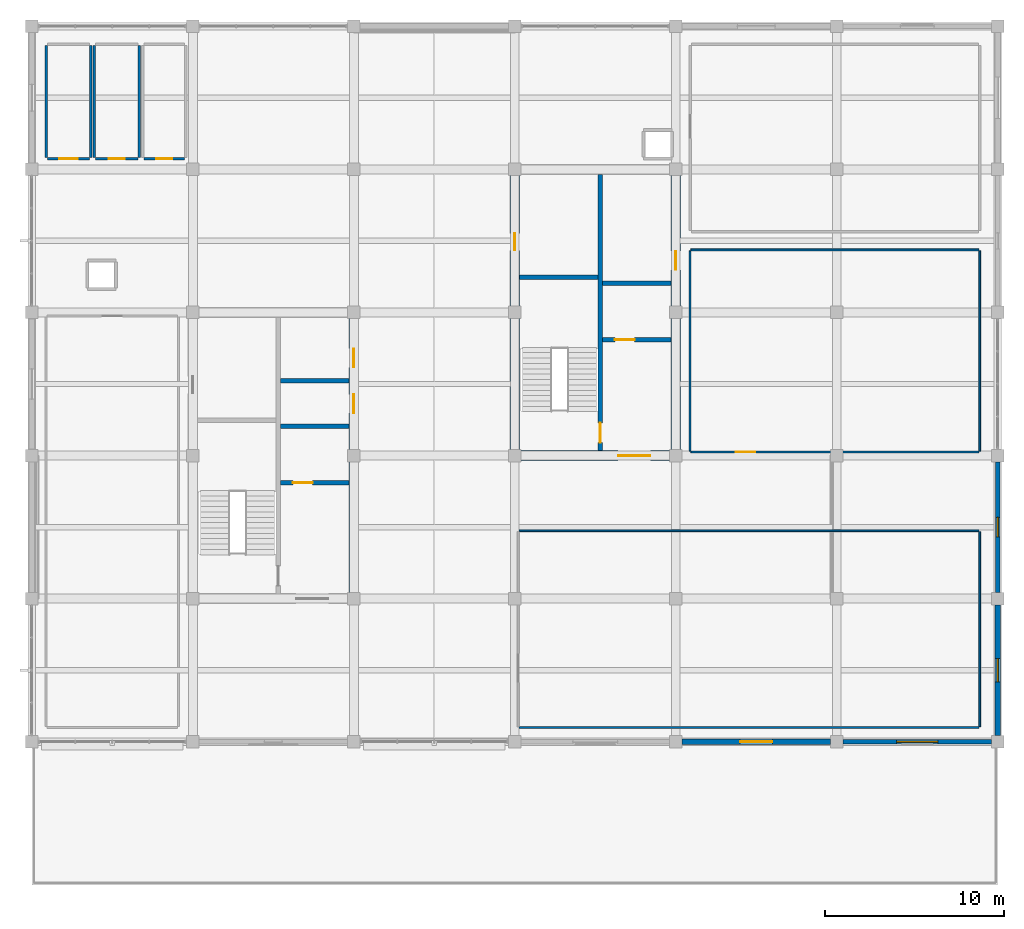
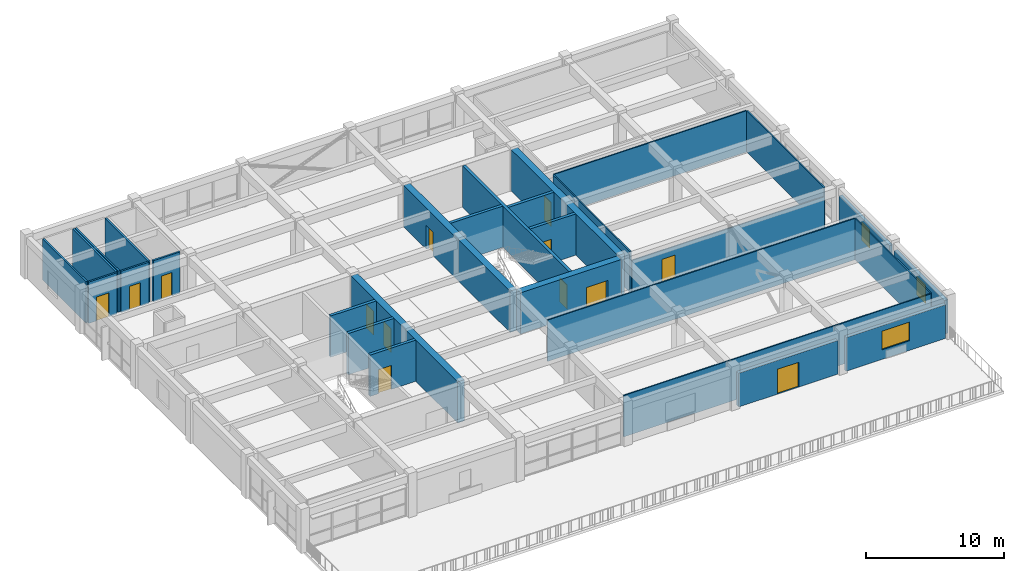
# One storey, part 11 of 14: 29 walls, 13 doors, 3 windows, 16 openings.
"""IFC4 building model written with IfcOpenShell, lengths in metres."""

import ifcopenshell
import ifcopenshell.guid

model = None  # the IFC model being written
_history = None  # IfcOwnerHistory: only IFC2X3 demands one
_inside = {}  # id of a spatial element -> (the spatial element, [elements in it])
_under = {}  # id of a project, library or spatial element -> (it, [spatial elements below it])
_declared = {}  # id of a project -> (the project, [libraries it declares])
_typed = {}  # id of a type object -> (the type object, [elements of that type])
_made_of = {}  # id of a material, layer set ... -> (it, [elements and type objects made of it])


def new_model(schema):
    """Start an empty IFC model of exactly this schema.

    Asked for "IFC4X3", IfcOpenShell would pick the latest addendum, in which some entities
    have other attributes; the version numbers below select the first issue.
    IFC2X3 requires an IfcOwnerHistory on every rooted entity: one is made here for all.
    """
    global model, _history
    if schema == "IFC4X3":
        model = ifcopenshell.file(schema_version=(4, 3, 0, 0))
    else:
        model = ifcopenshell.file(schema=schema)
    _inside.clear()
    _under.clear()
    _declared.clear()
    _typed.clear()
    _made_of.clear()
    _history = None
    if model.schema == "IFC2X3":
        org = make("IfcOrganization", Name="unknown")
        user = make(
            "IfcPersonAndOrganization",
            ThePerson=make("IfcPerson", FamilyName="unknown"),
            TheOrganization=org,
        )
        app = make(
            "IfcApplication",
            ApplicationDeveloper=org,
            Version="unknown",
            ApplicationFullName="unknown",
            ApplicationIdentifier="unknown",
        )
        _history = make(
            "IfcOwnerHistory",
            OwningUser=user,
            OwningApplication=app,
            ChangeAction="ADDED",
            CreationDate=0,
        )
    return model


def make(cls, **values):
    """One entity of the class cls with the attributes given. An attribute that is None is left unset."""
    return model.create_entity(
        cls, **{name: value for name, value in values.items() if value is not None}
    )


def rooted(cls, **values):
    """An entity with a GlobalId (a new one), such as an element, a storey or a relation."""
    return make(cls, GlobalId=ifcopenshell.guid.new(), OwnerHistory=_history, **values)


def si_unit(unit_type, name, prefix=None):
    """IfcSIUnit, for example si_unit("LENGTHUNIT", "METRE", prefix="MILLI")."""
    return make("IfcSIUnit", UnitType=unit_type, Prefix=prefix, Name=name)


def assignment(units):
    """IfcUnitAssignment: the units of a project."""
    return None if units is None else make("IfcUnitAssignment", Units=units)


def point(xyz):
    """IfcCartesianPoint."""
    return None if xyz is None else make("IfcCartesianPoint", Coordinates=xyz)


def direction(xyz):
    """IfcDirection."""
    return None if xyz is None else make("IfcDirection", DirectionRatios=xyz)


def frame(location, z_axis=None, x_axis=None):
    """IfcAxis2Placement3D, a coordinate frame: its origin and axes. An axis left out is left unset."""
    return make(
        "IfcAxis2Placement3D",
        Location=point(location),
        Axis=direction(z_axis),
        RefDirection=direction(x_axis),
    )


def frame_2d(location, x_axis=None):
    """IfcAxis2Placement2D, a coordinate frame in the plane: its origin and x axis."""
    return make(
        "IfcAxis2Placement2D", Location=point(location), RefDirection=direction(x_axis)
    )


def origin():
    """The frame at (0, 0, 0) with its axes left unset."""
    return frame((0.0, 0.0, 0.0))


def place(relative_to, where):
    """IfcLocalPlacement: puts the frame where relative to a parent placement (None: the world)."""
    return make(
        "IfcLocalPlacement", PlacementRelTo=relative_to, RelativePlacement=where
    )


def context(
    kind, dimensions, precision=None, world=None, true_north=None, identifier=None
):
    """IfcGeometricRepresentationContext, for example the 3D "Model" context."""
    return make(
        "IfcGeometricRepresentationContext",
        ContextIdentifier=identifier,
        ContextType=kind,
        CoordinateSpaceDimension=dimensions,
        Precision=precision,
        WorldCoordinateSystem=world,
        TrueNorth=true_north,
    )


def subcontext(parent, identifier, kind, view, scale=None):
    """IfcGeometricRepresentationSubContext, for example "Body" below "Model"."""
    return make(
        "IfcGeometricRepresentationSubContext",
        ContextIdentifier=identifier,
        ContextType=kind,
        ParentContext=parent,
        TargetScale=scale,
        TargetView=view,
    )


def project(units=None, contexts=None):
    """IfcProject with its units and contexts."""
    return rooted(
        "IfcProject",
        Name="project",
        RepresentationContexts=contexts,
        UnitsInContext=assignment(units),
    )


def spatial(cls, under=None, at=None, **own):
    """A site, building, storey or space (cls), placed at a placement, below another one or the project."""
    s = rooted(cls, ObjectPlacement=at, **own)
    if under is not None:
        _under.setdefault(under.id(), (under, []))[1].append(s)
    return s


def profile(cls, at=None, kind="AREA", **sizes):
    """A parametric profile (cls). Its sizes go by their IFC names, for example OverallWidth=200.0."""
    return make(cls, ProfileType=kind, Position=at, **sizes)


def rectangle(**sizes):
    """IfcRectangleProfileDef."""
    return profile("IfcRectangleProfileDef", **sizes)


def extrude(swept, where, along, depth):
    """IfcExtrudedAreaSolid: the profile swept, set in the frame where, extruded along a direction by depth."""
    return make(
        "IfcExtrudedAreaSolid",
        SweptArea=swept,
        Position=where,
        ExtrudedDirection=direction(along),
        Depth=depth,
    )


def shape(context_of_items, identifier, shape_type, items):
    """IfcShapeRepresentation: the items that make up one representation, for example the "Body"."""
    return make(
        "IfcShapeRepresentation",
        ContextOfItems=context_of_items,
        RepresentationIdentifier=identifier,
        RepresentationType=shape_type,
        Items=items,
    )


def material(Name=None, Category=None):
    """IfcMaterial."""
    return make("IfcMaterial", Name=Name, Category=Category)


def layer(
    of_material, thickness, ventilated=None, Name=None, Category=None, Priority=None
):
    """IfcMaterialLayer: one layer of a wall or slab, of a material (None: an air gap)."""
    return make(
        "IfcMaterialLayer",
        Material=of_material,
        LayerThickness=thickness,
        IsVentilated=ventilated,
        Name=Name,
        Category=Category,
        Priority=Priority,
    )


def layer_set(layers, Name=None):
    """IfcMaterialLayerSet."""
    return make("IfcMaterialLayerSet", MaterialLayers=layers, LayerSetName=Name)


def made_of(thing, what):
    """Note that an element or type object is made of a material, layer set ...; save() writes the relation."""
    if what is not None:
        _made_of.setdefault(what.id(), (what, []))[1].append(thing)
    return thing


def type_object(cls, material=None, **own):
    """A type object (cls), such as IfcWallType, which elements share."""
    return made_of(rooted(cls, **own), material)


def element(
    cls,
    number,
    at=None,
    inside=None,
    cuts=None,
    type_object=None,
    material=None,
    context=None,
    identifier="Body",
    shape_type=None,
    held_by="IfcProductDefinitionShape",
    body=None,
    shapes=None,
    **own,
):
    """One element of the class cls, such as IfcWall. Its Tag is "e" and its number.

    at: its placement. inside: the storey or other place that contains it. cuts: it is an
    opening in that element (IfcRelVoidsElement). A single representation is given by context,
    identifier, shape_type and body (its items); several are given by shapes. held_by: the class
    of the entity that holds the representations. save() writes the other relations.
    """
    e = rooted(cls, Tag="e%d" % number, ObjectPlacement=at, **own)
    if body is not None:
        shapes = [shape(context, identifier, shape_type, body)]
    if shapes is not None:
        e.Representation = make(held_by, Representations=shapes)
    if inside is not None:
        _inside.setdefault(inside.id(), (inside, []))[1].append(e)
    if cuts is not None:
        rooted(
            "IfcRelVoidsElement", RelatingBuildingElement=cuts, RelatedOpeningElement=e
        )
    if type_object is not None:
        _typed.setdefault(type_object.id(), (type_object, []))[1].append(e)
    return made_of(e, material)


def fill(opening, filler):
    """IfcRelFillsElement: the door or window that sits in an opening."""
    return rooted(
        "IfcRelFillsElement",
        RelatingOpeningElement=opening,
        RelatedBuildingElement=filler,
    )


def aggregate(whole, parts):
    """IfcRelAggregates: a whole, such as a stair, and the parts it consists of."""
    return rooted("IfcRelAggregates", RelatingObject=whole, RelatedObjects=parts)


def save(model, path):
    """Write the relations noted so far, then the file.

    IfcRelAggregates (storeys below a building ...), IfcRelContainedInSpatialStructure (elements
    in a storey), IfcRelDefinesByType, IfcRelAssociatesMaterial and IfcRelDeclares: one each for
    every whole, place, type object, material and project.
    """
    for whole, parts in _under.values():
        aggregate(whole, parts)
    for where, things in _inside.values():
        rooted(
            "IfcRelContainedInSpatialStructure",
            RelatedElements=things,
            RelatingStructure=where,
        )
    for kind, things in _typed.values():
        rooted("IfcRelDefinesByType", RelatedObjects=things, RelatingType=kind)
    for what, things in _made_of.values():
        rooted("IfcRelAssociatesMaterial", RelatedObjects=things, RelatingMaterial=what)
    for by, libraries in _declared.values():
        rooted("IfcRelDeclares", RelatingContext=by, RelatedDefinitions=libraries)
    model.write(path)


model = new_model("IFC4")

# Units and contexts
model_context = context("Model", 3, precision=1e-05, world=origin(), true_north=direction((0.0, 1.0)))
body_context = subcontext(model_context, "Body", "Model", "MODEL_VIEW")
ifc_project = project(units=[si_unit("LENGTHUNIT", "METRE"), si_unit("AREAUNIT", "SQUARE_METRE"), si_unit("VOLUMEUNIT", "CUBIC_METRE"), si_unit("PLANEANGLEUNIT", "RADIAN"), si_unit("MASSUNIT", "GRAM", prefix="KILO")], contexts=[model_context])

# Site, building, storey
site_placement = place(None, origin())
site = spatial("IfcSite", under=ifc_project, at=site_placement, CompositionType="ELEMENT")
building_placement = place(site_placement, origin())
building = spatial("IfcBuilding", under=site, at=building_placement, Name="Zaverband Oceanarium and Marine Research Institute", CompositionType="ELEMENT")
storey_placement = place(building_placement, frame((0.0, 0.0, 57.0)))
storey = spatial("IfcBuildingStorey", under=building, at=storey_placement, Name="L14", CompositionType="ELEMENT", Elevation=57.0)

# Wall, openings, doors
ifc_material_1 = material(Name="Concrete C50/60", Category="concrete")
ifc_layer_1 = layer(ifc_material_1, 0.550048828125, Name="Concrete C50/60")
ifc_layer_set_1 = layer_set([ifc_layer_1], Name="Concrete C50/60")
wall_type_1 = type_object("IfcWallType", Name="CW-01", PredefinedType="SHEAR", material=ifc_layer_set_1)
wall_1_placement = place(storey_placement, frame((27.0, 80.27490234375, 0.0), z_axis=(0.0, 0.0, 1.0), x_axis=(0.0, 1.0, 0.0)))
wall_1 = element("IfcWall", 1, at=wall_1_placement, inside=storey, type_object=wall_type_1, Name="Structural shear wall CW-01", PredefinedType="SHEAR", context=body_context, shape_type="SweptSolid", body=[
    extrude(rectangle(XDim=15.4501953125, YDim=0.550048828125, at=frame_2d((7.72509765625, 0.0))), origin(), (0.0, 0.0, 1.0), 3.64990234375),
])
opening_1_placement = place(wall_1_placement, frame((10.10009765625, 0.0, 0.0)))
opening_1 = element("IfcOpeningElement", 2, at=opening_1_placement, cuts=wall_1, Name="Opening LD-02", PredefinedType="OPENING", context=body_context, shape_type="SweptSolid", body=[
    extrude(rectangle(XDim=1.050048828125, YDim=2.1201171875, at=frame_2d((0.52490234375, 1.06005859375))), frame((0.0, 0.287109375, 0.0), z_axis=(0.0, -1.0, 0.0), x_axis=(1.0, 0.0, 0.0)), (0.0, 0.0, 1.0), 0.573974609375),
])
opening_2_placement = place(wall_1_placement, frame((12.64990234375, 0.0, 0.0)))
opening_2 = element("IfcOpeningElement", 3, at=opening_2_placement, cuts=wall_1, Name="Opening LD-02", PredefinedType="OPENING", context=body_context, shape_type="SweptSolid", body=[
    extrude(rectangle(XDim=1.050048828125, YDim=2.1201171875, at=frame_2d((0.52490234375, 1.06005859375))), frame((0.0, 0.287109375, 0.0), z_axis=(0.0, -1.0, 0.0), x_axis=(1.0, 0.0, 0.0)), (0.0, 0.0, 1.0), 0.573974609375),
])
ifc_material_2 = material(Name="Steel S355", Category="steel")
door_type_1 = type_object("IfcDoorType", Name="LD-02", OperationType="DOUBLE_DOOR_SLIDING", PredefinedType="DOOR", material=ifc_material_2)
door_1_placement = place(opening_1_placement, origin())
door_1 = element("IfcDoor", 4, at=door_1_placement, inside=storey, type_object=door_type_1, Name="Passenger lift sliding landing door LD-02", OperationType="DOUBLE_DOOR_SLIDING", OverallHeight=2.1201171875, OverallWidth=1.050048828125, PredefinedType="DOOR", context=body_context, shape_type="SweptSolid", body=[
    extrude(rectangle(XDim=1.050048828125, YDim=2.1201171875, at=frame_2d((0.52490234375, 1.06005859375))), frame((0.0, 0.02490234375, 0.0), z_axis=(0.0, -1.0, 0.0), x_axis=(1.0, 0.0, 0.0)), (0.0, 0.0, 1.0), 0.050048828125),
])
fill(opening_1, door_1)
door_2_placement = place(opening_2_placement, origin())
door_2 = element("IfcDoor", 5, at=door_2_placement, inside=storey, type_object=door_type_1, Name="Passenger lift sliding landing door LD-02", OperationType="DOUBLE_DOOR_SLIDING", OverallHeight=2.1201171875, OverallWidth=1.050048828125, PredefinedType="DOOR", context=body_context, shape_type="SweptSolid", body=[
    extrude(rectangle(XDim=1.050048828125, YDim=2.1201171875, at=frame_2d((0.52490234375, 1.06005859375))), frame((0.0, 0.02490234375, 0.0), z_axis=(0.0, -1.0, 0.0), x_axis=(1.0, 0.0, 0.0)), (0.0, 0.0, 1.0), 0.050048828125),
])
fill(opening_2, door_2)

# Wall, opening, door
wall_2_placement = place(storey_placement, frame((36.27490234375, 88.0, 0.0), z_axis=(0.0, 0.0, 1.0), x_axis=(1.0, 0.0, 0.0)))
wall_2 = element("IfcWall", 6, at=wall_2_placement, inside=storey, type_object=wall_type_1, Name="Structural shear wall CW-01", PredefinedType="SHEAR", context=body_context, shape_type="SweptSolid", body=[
    extrude(rectangle(XDim=8.4501953125, YDim=0.550048828125, at=frame_2d((4.22509765625, 0.0))), origin(), (0.0, 0.0, 1.0), 3.64990234375),
])
opening_3_placement = place(wall_2_placement, frame((5.5, 0.0, 0.0)))
opening_3 = element("IfcOpeningElement", 7, at=opening_3_placement, cuts=wall_2, Name="Opening FD-02", PredefinedType="OPENING", context=body_context, shape_type="SweptSolid", body=[
    extrude(rectangle(XDim=1.800048828125, YDim=2.179931640625, at=frame_2d((0.89990234375, 1.08984375))), frame((0.0, 0.287109375, 0.0), z_axis=(0.0, -1.0, 0.0), x_axis=(1.0, 0.0, 0.0)), (0.0, 0.0, 1.0), 0.573974609375),
])
door_type_2 = type_object("IfcDoorType", Name="FD-02", OperationType="DOUBLE_DOOR_SINGLE_SWING", PredefinedType="DOOR", material=ifc_material_2)
door_3_placement = place(opening_3_placement, origin())
door_3 = element("IfcDoor", 8, at=door_3_placement, inside=storey, type_object=door_type_2, Name="Protected lobby double fire door FD-02", OperationType="DOUBLE_DOOR_SINGLE_SWING", OverallHeight=2.179931640625, OverallWidth=1.800048828125, PredefinedType="DOOR", context=body_context, shape_type="SweptSolid", body=[
    extrude(rectangle(XDim=1.800048828125, YDim=2.179931640625, at=frame_2d((0.89990234375, 1.08984375))), frame((0.0, 0.02490234375, 0.0), z_axis=(0.0, -1.0, 0.0), x_axis=(1.0, 0.0, 0.0)), (0.0, 0.0, 1.0), 0.050048828125),
])
fill(opening_3, door_3)

wall_3_placement = place(storey_placement, frame((36.0, 88.27490234375, 0.0), z_axis=(0.0, 0.0, 1.0), x_axis=(0.0, 1.0, 0.0)))
wall_3 = element("IfcWall", 9, at=wall_3_placement, inside=storey, type_object=wall_type_1, Name="Structural shear wall CW-01", PredefinedType="SHEAR", context=body_context, shape_type="SweptSolid", body=[
    extrude(rectangle(XDim=15.4501953125, YDim=0.550048828125, at=frame_2d((7.72509765625, 0.0))), origin(), (0.0, 0.0, 1.0), 3.64990234375),
])
opening_4_placement = place(wall_3_placement, frame((11.199951171875, 0.0, 0.0)))
opening_4 = element("IfcOpeningElement", 10, at=opening_4_placement, cuts=wall_3, Name="Opening FD-03", PredefinedType="OPENING", context=body_context, shape_type="SweptSolid", body=[
    extrude(rectangle(XDim=0.949951171875, YDim=2.10009765625, at=frame_2d((0.47509765625, 1.050048828125))), frame((0.0, 0.287109375, 0.0), z_axis=(0.0, -1.0, 0.0), x_axis=(1.0, 0.0, 0.0)), (0.0, 0.0, 1.0), 0.573974609375),
])
door_type_3 = type_object("IfcDoorType", Name="FD-03", OperationType="NOTDEFINED", PredefinedType="DOOR", material=ifc_material_2)
door_4_placement = place(opening_4_placement, origin())
door_4 = element("IfcDoor", 11, at=door_4_placement, inside=storey, type_object=door_type_3, Name="Service riser access fire door FD-03", OperationType="SINGLE_SWING_RIGHT", OverallHeight=2.10009765625, OverallWidth=0.949951171875, PredefinedType="DOOR", context=body_context, shape_type="SweptSolid", body=[
    extrude(rectangle(XDim=0.949951171875, YDim=2.10009765625, at=frame_2d((0.47509765625, 1.050048828125))), frame((0.0, 0.02490234375, 0.0), z_axis=(0.0, -1.0, 0.0), x_axis=(1.0, 0.0, 0.0)), (0.0, 0.0, 1.0), 0.050048828125),
])
fill(opening_4, door_4)

wall_4_placement = place(storey_placement, frame((45.0, 88.27490234375, 0.0), z_axis=(0.0, 0.0, 1.0), x_axis=(0.0, 1.0, 0.0)))
wall_4 = element("IfcWall", 12, at=wall_4_placement, inside=storey, type_object=wall_type_1, Name="Structural shear wall CW-01", PredefinedType="SHEAR", context=body_context, shape_type="SweptSolid", body=[
    extrude(rectangle(XDim=15.4501953125, YDim=0.550048828125, at=frame_2d((7.72509765625, 0.0))), origin(), (0.0, 0.0, 1.0), 3.64990234375),
])
opening_5_placement = place(wall_4_placement, frame((10.10009765625, 0.0, 0.0)))
opening_5 = element("IfcOpeningElement", 13, at=opening_5_placement, cuts=wall_4, Name="Opening LD-02", PredefinedType="OPENING", context=body_context, shape_type="SweptSolid", body=[
    extrude(rectangle(XDim=1.050048828125, YDim=2.1201171875, at=frame_2d((0.52490234375, 1.06005859375))), frame((0.0, 0.287109375, 0.0), z_axis=(0.0, -1.0, 0.0), x_axis=(1.0, 0.0, 0.0)), (0.0, 0.0, 1.0), 0.573974609375),
])
door_5_placement = place(opening_5_placement, origin())
door_5 = element("IfcDoor", 14, at=door_5_placement, inside=storey, type_object=door_type_1, Name="Passenger lift sliding landing door LD-02", OperationType="DOUBLE_DOOR_SLIDING", OverallHeight=2.1201171875, OverallWidth=1.050048828125, PredefinedType="DOOR", context=body_context, shape_type="SweptSolid", body=[
    extrude(rectangle(XDim=1.050048828125, YDim=2.1201171875, at=frame_2d((0.52490234375, 1.06005859375))), frame((0.0, 0.02490234375, 0.0), z_axis=(0.0, -1.0, 0.0), x_axis=(1.0, 0.0, 0.0)), (0.0, 0.0, 1.0), 0.050048828125),
])
fill(opening_5, door_5)

# Wall, opening, window
ifc_material_3 = material(Name="Concrete C40/50 precast", Category="concrete")
ifc_layer_2 = layer(ifc_material_3, 0.264892578125, Name="Concrete C40/50 precast")
ifc_layer_set_2 = layer_set([ifc_layer_2], Name="Concrete C40/50 precast")
wall_type_2 = type_object("IfcWallType", Name="EW-265", PredefinedType="STANDARD", material=ifc_layer_set_2)
wall_5_placement = place(storey_placement, frame((54.35498046875, 72.0, 0.0), z_axis=(0.0, 0.0, 1.0), x_axis=(1.0, 0.0, 0.0)))
wall_5 = element("IfcWall", 15, at=wall_5_placement, inside=storey, type_object=wall_type_2, Name="Exterior infill wall EW-265", PredefinedType="STANDARD", context=body_context, shape_type="SweptSolid", body=[
    extrude(rectangle(XDim=8.2900390625, YDim=0.264892578125, at=frame_2d((4.14501953125, 0.0))), origin(), (0.0, 0.0, 1.0), 2.97998046875),
])
opening_6_placement = place(wall_5_placement, frame((2.9951171875, 0.0, 0.85009765625)))
opening_6 = element("IfcOpeningElement", 16, at=opening_6_placement, cuts=wall_5, Name="Opening WN-2300x1650", PredefinedType="OPENING", context=body_context, shape_type="SweptSolid", body=[
    extrude(rectangle(XDim=2.300048828125, YDim=1.64990234375, at=frame_2d((1.14990234375, 0.824951171875))), frame((0.0, 0.14453125, 0.0), z_axis=(0.0, -1.0, 0.0), x_axis=(1.0, 0.0, 0.0)), (0.0, 0.0, 1.0), 0.288818359375),
])
ifc_material_4 = material(Name="Thermally broken anodized aluminium and solar-control glass", Category="aluminium")
window_type_1 = type_object("IfcWindowType", Name="WN-2300x1650", PartitioningType="SINGLE_PANEL", PredefinedType="WINDOW", material=ifc_material_4)
window_1_placement = place(opening_6_placement, origin())
window_1 = element("IfcWindow", 17, at=window_1_placement, inside=storey, type_object=window_type_1, Name="Fixed / casement exterior window WN-2300x1650", OverallHeight=1.64990234375, OverallWidth=2.300048828125, PartitioningType="SINGLE_PANEL", PredefinedType="WINDOW", context=body_context, shape_type="SweptSolid", body=[
    extrude(rectangle(XDim=2.300048828125, YDim=1.64990234375, at=frame_2d((1.14990234375, 0.824951171875))), frame((0.0, 0.030029296875, 0.0), z_axis=(0.0, -1.0, 0.0), x_axis=(1.0, 0.0, 0.0)), (0.0, 0.0, 1.0), 0.06005859375),
])
fill(opening_6, window_1)

wall_6_placement = place(storey_placement, frame((63.0, 80.35498046875, 0.0), z_axis=(0.0, 0.0, 1.0), x_axis=(0.0, 1.0, 0.0)))
wall_6 = element("IfcWall", 18, at=wall_6_placement, inside=storey, type_object=wall_type_2, Name="Exterior infill wall EW-265", PredefinedType="STANDARD", context=body_context, shape_type="SweptSolid", body=[
    extrude(rectangle(XDim=7.2900390625, YDim=0.264892578125, at=frame_2d((3.64501953125, 0.0))), origin(), (0.0, 0.0, 1.0), 2.97998046875),
])
opening_7_placement = place(wall_6_placement, frame((3.094970703125, 0.0, 0.85009765625)))
opening_7 = element("IfcOpeningElement", 19, at=opening_7_placement, cuts=wall_6, Name="Opening WN-1100x1650", PredefinedType="OPENING", context=body_context, shape_type="SweptSolid", body=[
    extrude(rectangle(XDim=1.10009765625, YDim=1.64990234375, at=frame_2d((0.550048828125, 0.824951171875))), frame((0.0, 0.14453125, 0.0), z_axis=(0.0, -1.0, 0.0), x_axis=(1.0, 0.0, 0.0)), (0.0, 0.0, 1.0), 0.288818359375),
])
window_type_2 = type_object("IfcWindowType", Name="WN-1100x1650", PartitioningType="SINGLE_PANEL", PredefinedType="WINDOW", material=ifc_material_4)
window_2_placement = place(opening_7_placement, origin())
window_2 = element("IfcWindow", 20, at=window_2_placement, inside=storey, type_object=window_type_2, Name="Fixed / casement exterior window WN-1100x1650", OverallHeight=1.64990234375, OverallWidth=1.10009765625, PartitioningType="SINGLE_PANEL", PredefinedType="WINDOW", context=body_context, shape_type="SweptSolid", body=[
    extrude(rectangle(XDim=1.10009765625, YDim=1.64990234375, at=frame_2d((0.550048828125, 0.824951171875))), frame((0.0, 0.030029296875, 0.0), z_axis=(0.0, -1.0, 0.0), x_axis=(1.0, 0.0, 0.0)), (0.0, 0.0, 1.0), 0.06005859375),
])
fill(opening_7, window_2)

# Wall, opening, door
ifc_layer_3 = layer(ifc_material_3, 0.2900390625, Name="Concrete C40/50 precast")
ifc_layer_set_3 = layer_set([ifc_layer_3], Name="Concrete C40/50 precast")
wall_type_3 = type_object("IfcWallType", Name="EW-290", PredefinedType="STANDARD", material=ifc_layer_set_3)
wall_7_placement = place(storey_placement, frame((45.35498046875, 72.0, 0.0), z_axis=(0.0, 0.0, 1.0), x_axis=(1.0, 0.0, 0.0)))
wall_7 = element("IfcWall", 21, at=wall_7_placement, inside=storey, type_object=wall_type_3, Name="Exterior infill wall EW-290", PredefinedType="STANDARD", context=body_context, shape_type="SweptSolid", body=[
    extrude(rectangle(XDim=8.2900390625, YDim=0.2900390625, at=frame_2d((4.14501953125, 0.0))), origin(), (0.0, 0.0, 1.0), 2.97998046875),
])
opening_8_placement = place(wall_7_placement, frame((3.2451171875, 0.0, 0.0)))
opening_8 = element("IfcOpeningElement", 22, at=opening_8_placement, cuts=wall_7, Name="Opening TD-1800x2200", PredefinedType="OPENING", context=body_context, shape_type="SweptSolid", body=[
    extrude(rectangle(XDim=1.800048828125, YDim=2.199951171875, at=frame_2d((0.89990234375, 1.10009765625))), frame((0.0, 0.156982421875, 0.0), z_axis=(0.0, -1.0, 0.0), x_axis=(1.0, 0.0, 0.0)), (0.0, 0.0, 1.0), 0.31396484375),
])
ifc_material_5 = material(Name="Thermally broken anodized aluminium and laminated glass", Category="aluminium")
door_type_4 = type_object("IfcDoorType", Name="TD-1800x2200", OperationType="DOUBLE_DOOR_SINGLE_SWING", PredefinedType="DOOR", material=ifc_material_5)
door_6_placement = place(opening_8_placement, frame((1.800048828125, 0.0, 0.0), z_axis=(0.0, 0.0, 1.0), x_axis=(-1.0, 0.0, 0.0)))
door_6 = element("IfcDoor", 23, at=door_6_placement, inside=storey, type_object=door_type_4, Name="Glazed double terrace door TD-1800x2200", OperationType="DOUBLE_DOOR_SINGLE_SWING", OverallHeight=2.199951171875, OverallWidth=1.800048828125, PredefinedType="DOOR", context=body_context, shape_type="SweptSolid", body=[
    extrude(rectangle(XDim=1.800048828125, YDim=2.199951171875, at=frame_2d((0.89990234375, 1.10009765625))), frame((0.0, 0.02490234375, 0.0), z_axis=(0.0, -1.0, 0.0), x_axis=(1.0, 0.0, 0.0)), (0.0, 0.0, 1.0), 0.050048828125),
])
fill(opening_8, door_6)

# Wall, opening, window
wall_8_placement = place(storey_placement, frame((63.0, 72.35498046875, 0.0), z_axis=(0.0, 0.0, 1.0), x_axis=(0.0, 1.0, 0.0)))
wall_8 = element("IfcWall", 24, at=wall_8_placement, inside=storey, type_object=wall_type_3, Name="Exterior infill wall EW-290", PredefinedType="STANDARD", context=body_context, shape_type="SweptSolid", body=[
    extrude(rectangle(XDim=7.2900390625, YDim=0.2900390625, at=frame_2d((3.64501953125, 0.0))), origin(), (0.0, 0.0, 1.0), 2.97998046875),
])
opening_9_placement = place(wall_8_placement, frame((2.9951171875, 0.0, 0.85009765625)))
opening_9 = element("IfcOpeningElement", 25, at=opening_9_placement, cuts=wall_8, Name="Opening WN-1300x1650", PredefinedType="OPENING", context=body_context, shape_type="SweptSolid", body=[
    extrude(rectangle(XDim=1.300048828125, YDim=1.64990234375, at=frame_2d((0.64990234375, 0.824951171875))), frame((0.0, 0.156982421875, 0.0), z_axis=(0.0, -1.0, 0.0), x_axis=(1.0, 0.0, 0.0)), (0.0, 0.0, 1.0), 0.31396484375),
])
window_type_3 = type_object("IfcWindowType", Name="WN-1300x1650", PartitioningType="SINGLE_PANEL", PredefinedType="WINDOW", material=ifc_material_4)
window_3_placement = place(opening_9_placement, origin())
window_3 = element("IfcWindow", 26, at=window_3_placement, inside=storey, type_object=window_type_3, Name="Fixed / casement exterior window WN-1300x1650", OverallHeight=1.64990234375, OverallWidth=1.300048828125, PartitioningType="SINGLE_PANEL", PredefinedType="WINDOW", context=body_context, shape_type="SweptSolid", body=[
    extrude(rectangle(XDim=1.300048828125, YDim=1.64990234375, at=frame_2d((0.64990234375, 0.824951171875))), frame((0.0, 0.030029296875, 0.0), z_axis=(0.0, -1.0, 0.0), x_axis=(1.0, 0.0, 0.0)), (0.0, 0.0, 1.0), 0.06005859375),
])
fill(opening_9, window_3)

# Walls
ifc_material_6 = material(Name="Framed fire-rated glass laboratory partition", Category="glass")
ifc_layer_4 = layer(ifc_material_6, 0.10009765625, Name="Framed fire-rated glass laboratory partition")
ifc_layer_set_4 = layer_set([ifc_layer_4], Name="Framed fire-rated glass laboratory partition")
wall_type_4 = type_object("IfcWallType", Name="PT-100-GL", PredefinedType="PARTITIONING", material=ifc_layer_set_4)
for number, where, z_axis, x_axis, name in (
    (27, (36.25, 72.800048828125, 0.0), (0.0, 0.0, 1.0), (1.0, 0.0, 0.0), "Internal partition PT-100-GL"),
    (28, (36.25, 83.800048828125, 0.0), (0.0, 0.0, 1.0), (1.0, 0.0, 0.0), "Internal partition PT-100-GL"),
):
    element("IfcWall", number, at=place(storey_placement, frame(where, z_axis=z_axis, x_axis=x_axis)), inside=storey, type_object=wall_type_4, Name=name, PredefinedType="PARTITIONING", context=body_context, shape_type="SweptSolid", body=[
        extrude(rectangle(XDim=25.699951171875, YDim=0.10009765625, at=frame_2d((12.85009765625, 0.0))), origin(), (0.0, 0.0, 1.0), 3.64990234375),
    ])
wall_9_placement = place(storey_placement, frame((62.0, 72.85009765625, 0.0), z_axis=(0.0, 0.0, 1.0), x_axis=(0.0, 1.0, 0.0)))
element("IfcWall", 29, at=wall_9_placement, inside=storey, type_object=wall_type_4, Name="Internal partition PT-100-GL", PredefinedType="PARTITIONING", context=body_context, shape_type="SweptSolid", body=[
    extrude(rectangle(XDim=10.89990234375, YDim=0.10009765625, at=frame_2d((5.449951171875, 0.0))), origin(), (0.0, 0.0, 1.0), 3.64990234375),
])

# Wall, opening, door
wall_10_placement = place(storey_placement, frame((45.85009765625, 88.199951171875, 0.0), z_axis=(0.0, 0.0, 1.0), x_axis=(1.0, 0.0, 0.0)))
wall_10 = element("IfcWall", 30, at=wall_10_placement, inside=storey, type_object=wall_type_4, Name="Internal partition PT-100-GL", PredefinedType="PARTITIONING", context=body_context, shape_type="SweptSolid", body=[
    extrude(rectangle(XDim=16.099853515625, YDim=0.10009765625, at=frame_2d((8.0498046875, 0.0))), origin(), (0.0, 0.0, 1.0), 2.89990234375),
])
opening_10_placement = place(wall_10_placement, frame((2.5, 0.0, 0.0)))
opening_10 = element("IfcOpeningElement", 31, at=opening_10_placement, cuts=wall_10, Name="Opening ID-1100x2120", PredefinedType="OPENING", context=body_context, shape_type="SweptSolid", body=[
    extrude(rectangle(XDim=1.10009765625, YDim=2.1201171875, at=frame_2d((0.550048828125, 1.06005859375))), frame((0.0, 0.06201171875, 0.0), z_axis=(0.0, -1.0, 0.0), x_axis=(1.0, 0.0, 0.0)), (0.0, 0.0, 1.0), 0.1240234375),
])
ifc_material_7 = material(Name="Hardwood-veneered acoustic timber", Category="wood")
door_type_5 = type_object("IfcDoorType", Name="ID-1100x2120", OperationType="NOTDEFINED", PredefinedType="DOOR", material=ifc_material_7)
door_7_placement = place(opening_10_placement, origin())
door_7 = element("IfcDoor", 32, at=door_7_placement, inside=storey, type_object=door_type_5, Name="Telemetry laboratory door ID-1100x2120", OperationType="SINGLE_SWING_RIGHT", OverallHeight=2.1201171875, OverallWidth=1.10009765625, PredefinedType="DOOR", context=body_context, shape_type="SweptSolid", body=[
    extrude(rectangle(XDim=1.10009765625, YDim=2.1201171875, at=frame_2d((0.550048828125, 1.06005859375))), frame((0.0, 0.02490234375, 0.0), z_axis=(0.0, -1.0, 0.0), x_axis=(1.0, 0.0, 0.0)), (0.0, 0.0, 1.0), 0.050048828125),
])
fill(opening_10, door_7)

# Walls
wall_11_placement = place(storey_placement, frame((45.85009765625, 99.5, 0.0), z_axis=(0.0, 0.0, 1.0), x_axis=(1.0, 0.0, 0.0)))
element("IfcWall", 33, at=wall_11_placement, inside=storey, type_object=wall_type_4, Name="Internal partition PT-100-GL", PredefinedType="PARTITIONING", context=body_context, shape_type="SweptSolid", body=[
    extrude(rectangle(XDim=16.099853515625, YDim=0.10009765625, at=frame_2d((8.0498046875, 0.0))), origin(), (0.0, 0.0, 1.0), 3.64990234375),
])
for number, where, z_axis, x_axis, name in (
    (34, (45.800048828125, 88.25, 0.0), (0.0, 0.0, 1.0), (0.0, 1.0, 0.0), "Internal partition PT-100-GL"),
    (35, (62.0, 88.25, 0.0), (0.0, 0.0, 1.0), (0.0, 1.0, 0.0), "Internal partition PT-100-GL"),
):
    element("IfcWall", number, at=place(storey_placement, frame(where, z_axis=z_axis, x_axis=x_axis)), inside=storey, type_object=wall_type_4, Name=name, PredefinedType="PARTITIONING", context=body_context, shape_type="SweptSolid", body=[
        extrude(rectangle(XDim=11.199951171875, YDim=0.10009765625, at=frame_2d((5.60009765625, 0.0))), origin(), (0.0, 0.0, 1.0), 3.64990234375),
    ])

# Wall, opening, door
ifc_material_8 = material(Name="Ceramic-tiled wet-room blockwork", Category="masonry")
ifc_layer_5 = layer(ifc_material_8, 0.14990234375, Name="Ceramic-tiled wet-room blockwork")
ifc_layer_set_5 = layer_set([ifc_layer_5], Name="Ceramic-tiled wet-room blockwork")
wall_type_5 = type_object("IfcWallType", Name="PT-150-WC", PredefinedType="PARTITIONING", material=ifc_layer_set_5)
wall_12_placement = place(storey_placement, frame((9.875, 104.60009765625, 0.0), z_axis=(0.0, 0.0, 1.0), x_axis=(1.0, 0.0, 0.0)))
wall_12 = element("IfcWall", 36, at=wall_12_placement, inside=storey, type_object=wall_type_5, Name="Internal partition PT-150-WC", PredefinedType="PARTITIONING", context=body_context, shape_type="SweptSolid", body=[
    extrude(rectangle(XDim=2.35009765625, YDim=0.14990234375, at=frame_2d((1.175048828125, 0.0))), origin(), (0.0, 0.0, 1.0), 3.64990234375),
])
opening_11_placement = place(wall_12_placement, frame((0.6650390625, 0.0, 0.0)))
opening_11 = element("IfcOpeningElement", 37, at=opening_11_placement, cuts=wall_12, Name="Opening ID-1020x2100", PredefinedType="OPENING", context=body_context, shape_type="SweptSolid", body=[
    extrude(rectangle(XDim=1.02001953125, YDim=2.10009765625, at=frame_2d((0.510009765625, 1.050048828125))), frame((0.0, 0.0869140625, 0.0), z_axis=(0.0, -1.0, 0.0), x_axis=(1.0, 0.0, 0.0)), (0.0, 0.0, 1.0), 0.173828125),
])
door_type_6 = type_object("IfcDoorType", Name="ID-1020x2100", OperationType="NOTDEFINED", PredefinedType="DOOR", material=ifc_material_7)
door_8_placement = place(opening_11_placement, frame((1.02001953125, 0.0, 0.0), z_axis=(0.0, 0.0, 1.0), x_axis=(-1.0, 0.0, 0.0)))
door_8 = element("IfcDoor", 38, at=door_8_placement, inside=storey, type_object=door_type_6, Name="Accessible WC outward-swing door ID-1020x2100", OperationType="SINGLE_SWING_LEFT", OverallHeight=2.10009765625, OverallWidth=1.02001953125, PredefinedType="DOOR", context=body_context, shape_type="SweptSolid", body=[
    extrude(rectangle(XDim=1.02001953125, YDim=2.10009765625, at=frame_2d((0.510009765625, 1.050048828125))), frame((0.0, 0.02490234375, 0.0), z_axis=(0.0, -1.0, 0.0), x_axis=(1.0, 0.0, 0.0)), (0.0, 0.0, 1.0), 0.050048828125),
])
fill(opening_11, door_8)

# Walls
for number, where, z_axis, x_axis, name in (
    (39, (9.800048828125, 104.675048828125, 0.0), (0.0, 0.0, 1.0), (0.0, 1.0, 0.0), "Internal partition PT-150-WC"),
    (40, (12.300048828125, 104.675048828125, 0.0), (0.0, 0.0, 1.0), (0.0, 1.0, 0.0), "Internal partition PT-150-WC"),
):
    element("IfcWall", number, at=place(storey_placement, frame(where, z_axis=z_axis, x_axis=x_axis)), inside=storey, type_object=wall_type_5, Name=name, PredefinedType="PARTITIONING", context=body_context, shape_type="SweptSolid", body=[
        extrude(rectangle(XDim=6.25, YDim=0.14990234375, at=frame_2d((3.125, 0.0))), origin(), (0.0, 0.0, 1.0), 3.64990234375),
    ])

# Wall, opening, door
wall_13_placement = place(storey_placement, frame((12.574951171875, 104.60009765625, 0.0), z_axis=(0.0, 0.0, 1.0), x_axis=(1.0, 0.0, 0.0)))
wall_13 = element("IfcWall", 41, at=wall_13_placement, inside=storey, type_object=wall_type_5, Name="Internal partition PT-150-WC", PredefinedType="PARTITIONING", context=body_context, shape_type="SweptSolid", body=[
    extrude(rectangle(XDim=2.35009765625, YDim=0.14990234375, at=frame_2d((1.175048828125, 0.0))), origin(), (0.0, 0.0, 1.0), 3.64990234375),
])
opening_12_placement = place(wall_13_placement, frame((0.719970703125, 0.0, 0.0)))
opening_12 = element("IfcOpeningElement", 42, at=opening_12_placement, cuts=wall_13, Name="Opening ID-910x2080", PredefinedType="OPENING", context=body_context, shape_type="SweptSolid", body=[
    extrude(rectangle(XDim=0.909912109375, YDim=2.080078125, at=frame_2d((0.455078125, 1.0400390625))), frame((0.0, 0.0869140625, 0.0), z_axis=(0.0, -1.0, 0.0), x_axis=(1.0, 0.0, 0.0)), (0.0, 0.0, 1.0), 0.173828125),
])
door_type_7 = type_object("IfcDoorType", Name="ID-910x2080", OperationType="NOTDEFINED", PredefinedType="DOOR", material=ifc_material_7)
door_9_placement = place(opening_12_placement, origin())
door_9 = element("IfcDoor", 43, at=door_9_placement, inside=storey, type_object=door_type_7, Name="Sanitary washroom entrance door ID-910x2080", OperationType="SINGLE_SWING_RIGHT", OverallHeight=2.080078125, OverallWidth=0.909912109375, PredefinedType="DOOR", context=body_context, shape_type="SweptSolid", body=[
    extrude(rectangle(XDim=0.909912109375, YDim=2.080078125, at=frame_2d((0.455078125, 1.0400390625))), frame((0.0, 0.02490234375, 0.0), z_axis=(0.0, -1.0, 0.0), x_axis=(1.0, 0.0, 0.0)), (0.0, 0.0, 1.0), 0.050048828125),
])
fill(opening_12, door_9)

# Walls
for number, where, z_axis, x_axis, name in (
    (44, (12.5, 104.675048828125, 0.0), (0.0, 0.0, 1.0), (0.0, 1.0, 0.0), "Internal partition PT-150-WC"),
    (45, (15.0, 104.675048828125, 0.0), (0.0, 0.0, 1.0), (0.0, 1.0, 0.0), "Internal partition PT-150-WC"),
):
    element("IfcWall", number, at=place(storey_placement, frame(where, z_axis=z_axis, x_axis=x_axis)), inside=storey, type_object=wall_type_5, Name=name, PredefinedType="PARTITIONING", context=body_context, shape_type="SweptSolid", body=[
        extrude(rectangle(XDim=6.25, YDim=0.14990234375, at=frame_2d((3.125, 0.0))), origin(), (0.0, 0.0, 1.0), 3.64990234375),
    ])

# Wall, opening, door
wall_14_placement = place(storey_placement, frame((15.27490234375, 104.60009765625, 0.0), z_axis=(0.0, 0.0, 1.0), x_axis=(1.0, 0.0, 0.0)))
wall_14 = element("IfcWall", 46, at=wall_14_placement, inside=storey, type_object=wall_type_5, Name="Internal partition PT-150-WC", PredefinedType="PARTITIONING", context=body_context, shape_type="SweptSolid", body=[
    extrude(rectangle(XDim=2.25, YDim=0.14990234375, at=frame_2d((1.125, 0.0))), origin(), (0.0, 0.0, 1.0), 3.64990234375),
])
opening_13_placement = place(wall_14_placement, frame((0.679931640625, 0.0, 0.0)))
opening_13 = element("IfcOpeningElement", 47, at=opening_13_placement, cuts=wall_14, Name="Opening ID-890x2060", PredefinedType="OPENING", context=body_context, shape_type="SweptSolid", body=[
    extrude(rectangle(XDim=0.889892578125, YDim=2.06005859375, at=frame_2d((0.44482421875, 1.030029296875))), frame((0.0, 0.0869140625, 0.0), z_axis=(0.0, -1.0, 0.0), x_axis=(1.0, 0.0, 0.0)), (0.0, 0.0, 1.0), 0.173828125),
])
door_type_8 = type_object("IfcDoorType", Name="ID-890x2060", OperationType="NOTDEFINED", PredefinedType="DOOR", material=ifc_material_7)
door_10_placement = place(opening_13_placement, origin())
door_10 = element("IfcDoor", 48, at=door_10_placement, inside=storey, type_object=door_type_8, Name="Staff WC door ID-890x2060", OperationType="SINGLE_SWING_LEFT", OverallHeight=2.06005859375, OverallWidth=0.889892578125, PredefinedType="DOOR", context=body_context, shape_type="SweptSolid", body=[
    extrude(rectangle(XDim=0.889892578125, YDim=2.06005859375, at=frame_2d((0.44482421875, 1.030029296875))), frame((0.0, 0.02490234375, 0.0), z_axis=(0.0, -1.0, 0.0), x_axis=(1.0, 0.0, 0.0)), (0.0, 0.0, 1.0), 0.050048828125),
])
fill(opening_13, door_10)

ifc_layer_6 = layer(ifc_material_1, 0.25, Name="Concrete C50/60")
ifc_layer_set_6 = layer_set([ifc_layer_6], Name="Concrete C50/60")
wall_type_6 = type_object("IfcWallType", Name="PW-CORE-250", PredefinedType="SOLIDWALL", material=ifc_layer_set_6)
wall_15_placement = place(storey_placement, frame((22.905029296875, 86.47509765625, 0.0), z_axis=(0.0, 0.0, 1.0), x_axis=(1.0, 0.0, 0.0)))
wall_15 = element("IfcWall", 49, at=wall_15_placement, inside=storey, type_object=wall_type_6, Name="Structural concrete wall PW-CORE-250", PredefinedType="SOLIDWALL", context=body_context, shape_type="SweptSolid", body=[
    extrude(rectangle(XDim=3.820068359375, YDim=0.25, at=frame_2d((1.91015625, 0.0))), origin(), (0.0, 0.0, 1.0), 3.64990234375),
])
opening_14_placement = place(wall_15_placement, frame((0.695068359375, 0.0, 0.0)))
opening_14 = element("IfcOpeningElement", 50, at=opening_14_placement, cuts=wall_15, Name="Opening LD-01", PredefinedType="OPENING", context=body_context, shape_type="SweptSolid", body=[
    extrude(rectangle(XDim=1.10009765625, YDim=2.1201171875, at=frame_2d((0.550048828125, 1.06005859375))), frame((0.0, 0.136962890625, 0.0), z_axis=(0.0, -1.0, 0.0), x_axis=(1.0, 0.0, 0.0)), (0.0, 0.0, 1.0), 0.27392578125),
])
door_type_9 = type_object("IfcDoorType", Name="LD-01", OperationType="DOUBLE_DOOR_SLIDING", PredefinedType="DOOR", material=ifc_material_2)
door_11_placement = place(opening_14_placement, origin())
door_11 = element("IfcDoor", 51, at=door_11_placement, inside=storey, type_object=door_type_9, Name="Firefighting lift sliding landing door LD-01", OperationType="DOUBLE_DOOR_SLIDING", OverallHeight=2.1201171875, OverallWidth=1.10009765625, PredefinedType="DOOR", context=body_context, shape_type="SweptSolid", body=[
    extrude(rectangle(XDim=1.10009765625, YDim=2.1201171875, at=frame_2d((0.550048828125, 1.06005859375))), frame((0.0, 0.02490234375, 0.0), z_axis=(0.0, -1.0, 0.0), x_axis=(1.0, 0.0, 0.0)), (0.0, 0.0, 1.0), 0.050048828125),
])
fill(opening_14, door_11)

# Walls
for number, where, z_axis, x_axis, name in (
    (52, (22.905029296875, 89.6298828125, 0.0), (0.0, 0.0, 1.0), (1.0, 0.0, 0.0), "Structural concrete wall PW-CORE-250"),
    (53, (22.905029296875, 92.179931640625, 0.0), (0.0, 0.0, 1.0), (1.0, 0.0, 0.0), "Structural concrete wall PW-CORE-250"),
):
    element("IfcWall", number, at=place(storey_placement, frame(where, z_axis=z_axis, x_axis=x_axis)), inside=storey, type_object=wall_type_6, Name=name, PredefinedType="SOLIDWALL", context=body_context, shape_type="SweptSolid", body=[
        extrude(rectangle(XDim=3.820068359375, YDim=0.25, at=frame_2d((1.91015625, 0.0))), origin(), (0.0, 0.0, 1.0), 3.64990234375),
    ])

# Wall, opening, door
wall_16_placement = place(storey_placement, frame((40.77490234375, 88.27490234375, 0.0), z_axis=(0.0, 0.0, 1.0), x_axis=(0.0, 1.0, 0.0)))
wall_16 = element("IfcWall", 54, at=wall_16_placement, inside=storey, type_object=wall_type_6, Name="Structural concrete wall PW-CORE-250", PredefinedType="SOLIDWALL", context=body_context, shape_type="SweptSolid", body=[
    extrude(rectangle(XDim=15.4501953125, YDim=0.25, at=frame_2d((7.72509765625, 0.0))), origin(), (0.0, 0.0, 1.0), 3.64990234375),
])
opening_15_placement = place(wall_16_placement, frame((0.449951171875, 0.0, 0.0)))
opening_15 = element("IfcOpeningElement", 55, at=opening_15_placement, cuts=wall_16, Name="Opening FD-01", PredefinedType="OPENING", context=body_context, shape_type="SweptSolid", body=[
    extrude(rectangle(XDim=1.10009765625, YDim=2.14990234375, at=frame_2d((0.550048828125, 1.074951171875))), frame((0.0, 0.136962890625, 0.0), z_axis=(0.0, -1.0, 0.0), x_axis=(1.0, 0.0, 0.0)), (0.0, 0.0, 1.0), 0.27392578125),
])
door_type_10 = type_object("IfcDoorType", Name="FD-01", OperationType="NOTDEFINED", PredefinedType="DOOR", material=ifc_material_2)
door_12_placement = place(opening_15_placement, origin())
door_12 = element("IfcDoor", 56, at=door_12_placement, inside=storey, type_object=door_type_10, Name="Core stair / lobby fire door FD-01", OperationType="SINGLE_SWING_LEFT", OverallHeight=2.14990234375, OverallWidth=1.10009765625, PredefinedType="DOOR", context=body_context, shape_type="SweptSolid", body=[
    extrude(rectangle(XDim=1.10009765625, YDim=2.14990234375, at=frame_2d((0.550048828125, 1.074951171875))), frame((0.0, 0.02490234375, 0.0), z_axis=(0.0, -1.0, 0.0), x_axis=(1.0, 0.0, 0.0)), (0.0, 0.0, 1.0), 0.050048828125),
])
fill(opening_15, door_12)

# Wall
wall_17_placement = place(storey_placement, frame((36.27490234375, 97.97509765625, 0.0), z_axis=(0.0, 0.0, 1.0), x_axis=(1.0, 0.0, 0.0)))
element("IfcWall", 57, at=wall_17_placement, inside=storey, type_object=wall_type_6, Name="Structural concrete wall PW-CORE-250", PredefinedType="SOLIDWALL", context=body_context, shape_type="SweptSolid", body=[
    extrude(rectangle(XDim=4.3701171875, YDim=0.25, at=frame_2d((2.18505859375, 0.0))), origin(), (0.0, 0.0, 1.0), 3.64990234375),
])

# Wall, opening, door
wall_18_placement = place(storey_placement, frame((40.905029296875, 94.47509765625, 0.0), z_axis=(0.0, 0.0, 1.0), x_axis=(1.0, 0.0, 0.0)))
wall_18 = element("IfcWall", 58, at=wall_18_placement, inside=storey, type_object=wall_type_6, Name="Structural concrete wall PW-CORE-250", PredefinedType="SOLIDWALL", context=body_context, shape_type="SweptSolid", body=[
    extrude(rectangle(XDim=3.820068359375, YDim=0.25, at=frame_2d((1.91015625, 0.0))), origin(), (0.0, 0.0, 1.0), 3.64990234375),
])
opening_16_placement = place(wall_18_placement, frame((0.695068359375, 0.0, 0.0)))
opening_16 = element("IfcOpeningElement", 59, at=opening_16_placement, cuts=wall_18, Name="Opening LD-01", PredefinedType="OPENING", context=body_context, shape_type="SweptSolid", body=[
    extrude(rectangle(XDim=1.10009765625, YDim=2.1201171875, at=frame_2d((0.550048828125, 1.06005859375))), frame((0.0, 0.136962890625, 0.0), z_axis=(0.0, -1.0, 0.0), x_axis=(1.0, 0.0, 0.0)), (0.0, 0.0, 1.0), 0.27392578125),
])
door_13_placement = place(opening_16_placement, origin())
door_13 = element("IfcDoor", 60, at=door_13_placement, inside=storey, type_object=door_type_9, Name="Firefighting lift sliding landing door LD-01", OperationType="DOUBLE_DOOR_SLIDING", OverallHeight=2.1201171875, OverallWidth=1.10009765625, PredefinedType="DOOR", context=body_context, shape_type="SweptSolid", body=[
    extrude(rectangle(XDim=1.10009765625, YDim=2.1201171875, at=frame_2d((0.550048828125, 1.06005859375))), frame((0.0, 0.02490234375, 0.0), z_axis=(0.0, -1.0, 0.0), x_axis=(1.0, 0.0, 0.0)), (0.0, 0.0, 1.0), 0.050048828125),
])
fill(opening_16, door_13)

# Wall
wall_19_placement = place(storey_placement, frame((40.905029296875, 97.6298828125, 0.0), z_axis=(0.0, 0.0, 1.0), x_axis=(1.0, 0.0, 0.0)))
element("IfcWall", 61, at=wall_19_placement, inside=storey, type_object=wall_type_6, Name="Structural concrete wall PW-CORE-250", PredefinedType="SOLIDWALL", context=body_context, shape_type="SweptSolid", body=[
    extrude(rectangle(XDim=3.820068359375, YDim=0.25, at=frame_2d((1.91015625, 0.0))), origin(), (0.0, 0.0, 1.0), 3.64990234375),
])

save(model, "model.ifc")
